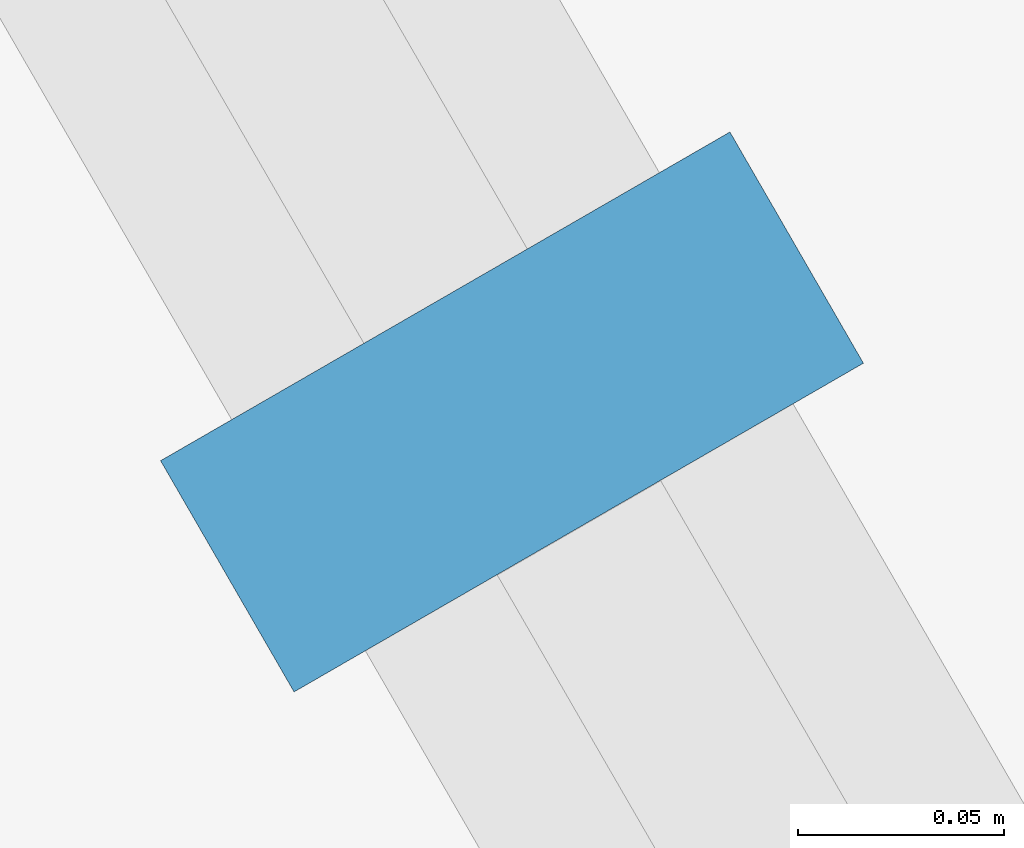
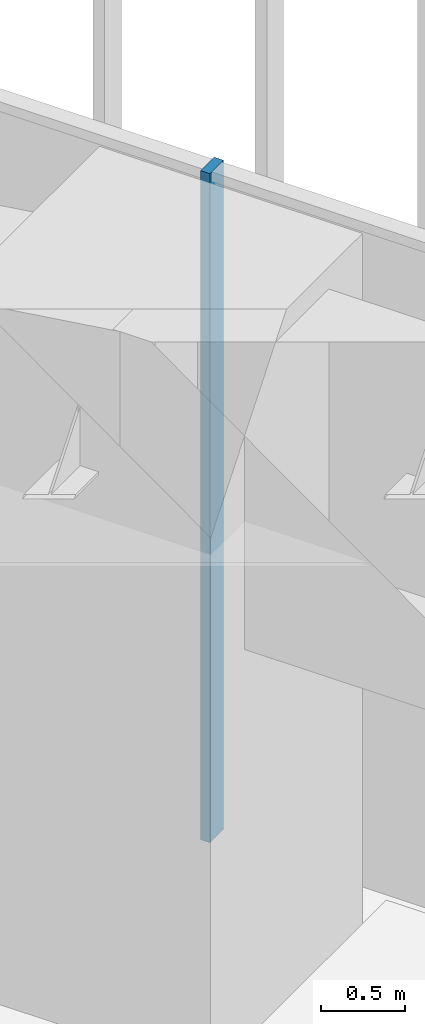
# One storey, part 195 of 228: 1 member, 1 element without a shape of its own.
"""IFC4 building model written with IfcOpenShell, lengths in metres."""

from ifc_helpers import new_model, si_unit, direction, frame, origin, origin_2d, place, context, subcontext, project, spatial, rectangle, extrude, material, material_profile, profile_set, type_object, element, aggregate, save


model = new_model("IFC4")

# Units and contexts
model_context = context("Model", 3, precision=1e-05, world=origin(), true_north=direction((0.0, 1.0)))
body_context = subcontext(model_context, "Body", "Model", "MODEL_VIEW")
ifc_project = project(units=[si_unit("LENGTHUNIT", "METRE"), si_unit("AREAUNIT", "SQUARE_METRE"), si_unit("VOLUMEUNIT", "CUBIC_METRE"), si_unit("PLANEANGLEUNIT", "RADIAN"), si_unit("MASSUNIT", "GRAM", prefix="KILO")], contexts=[model_context])

# Site, building, storey
site_placement = place(None, origin())
site = spatial("IfcSite", under=ifc_project, at=site_placement, CompositionType="ELEMENT")
building_placement = place(site_placement, origin())
building = spatial("IfcBuilding", under=site, at=building_placement, Name="Sandreach Pilgrim Tower", CompositionType="ELEMENT")
storey_placement = place(building_placement, frame((0.0, 0.0, 178.199951171875)))
storey = spatial("IfcBuildingStorey", under=building, at=storey_placement, Name="L44", CompositionType="ELEMENT", Elevation=178.199951171875)

# Curtain wall, member
ifc_material_1 = material(Name="Aluminium framed curtain wall", Category="aluminium")
curtain_wall_type = type_object("IfcCurtainWallType", Name="Upper hotel tower curtain wall", PredefinedType="NOTDEFINED", material=ifc_material_1)
curtain_wall_placement = place(storey_placement, origin())
curtain_wall = element("IfcCurtainWall", 1, at=curtain_wall_placement, inside=storey, type_object=curtain_wall_type, Name="CW-3 L44 NE", PredefinedType="NOTDEFINED")
ifc_material_2 = material(Name="Aluminium extrusion", Category="aluminium")
ifc_material_profile = material_profile(ifc_material_2, rectangle(XDim=0.06494140625, YDim=0.159912109375, at=origin_2d()), Name="CW-3M 65X160")
ifc_profile_set = profile_set([ifc_material_profile], Name="Aluminium extrusion")
member_type = type_object("IfcMemberType", Name="CW-3 mullion", PredefinedType="MULLION", material=ifc_profile_set)
member_placement = place(storey_placement, frame((20.947021484375, 16.768798828125, 0.0), z_axis=(0.0, 0.0, 1.0), x_axis=(0.5, -0.866025403784, 0.0)))
member = element("IfcMember", 2, at=member_placement, type_object=member_type, Name="CW-3 mullion 2", PredefinedType="MULLION", context=body_context, shape_type="SweptSolid", body=[
    extrude(rectangle(XDim=0.06494140625, YDim=0.159912109375, at=origin_2d()), origin(), (0.0, 0.0, 1.0), 4.840087890625),
])
aggregate(curtain_wall, [member])

save(model, "model.ifc")
